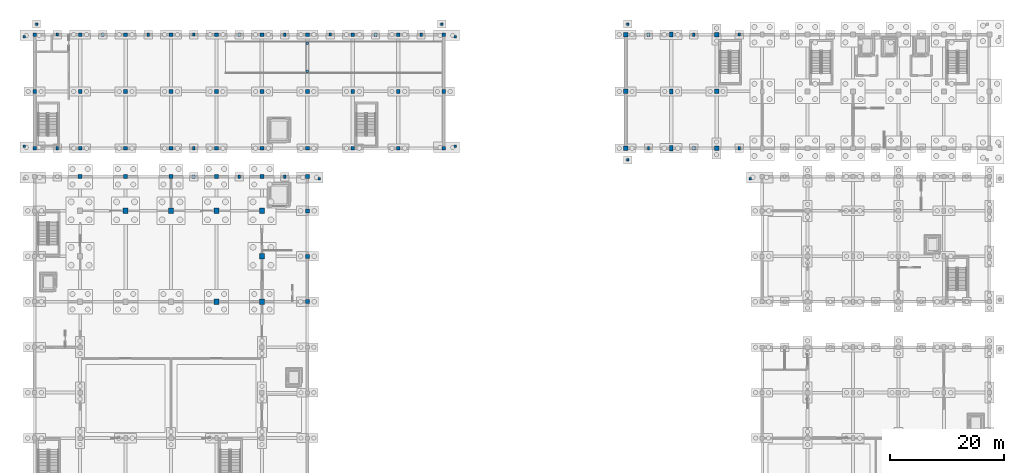
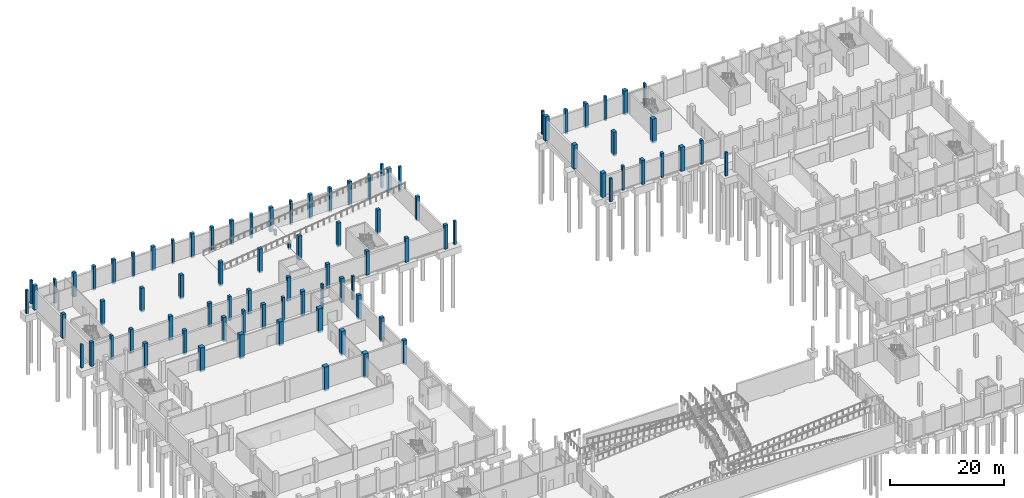
# One storey, part 16 of 52: 87 columns.
"""IFC4 building model written with IfcOpenShell, lengths in metres."""

from ifc_helpers import new_model, si_unit, direction, frame, origin, origin_2d, place, context, subcontext, project, spatial, rectangle, extrude, material, material_profile, profile_set, type_object, element, save


model = new_model("IFC4")

# Units and contexts
model_context = context("Model", 3, precision=1e-05, world=origin(), true_north=direction((0.0, 1.0)))
body_context = subcontext(model_context, "Body", "Model", "MODEL_VIEW")
ifc_project = project(units=[si_unit("LENGTHUNIT", "METRE"), si_unit("AREAUNIT", "SQUARE_METRE"), si_unit("VOLUMEUNIT", "CUBIC_METRE"), si_unit("PLANEANGLEUNIT", "RADIAN"), si_unit("MASSUNIT", "GRAM", prefix="KILO")], contexts=[model_context])

# Site, building, storey
site_placement = place(None, origin())
site = spatial("IfcSite", under=ifc_project, at=site_placement, CompositionType="ELEMENT")
building_placement = place(site_placement, origin())
building = spatial("IfcBuilding", under=site, at=building_placement, Name="Luwemba Playhouse", CompositionType="ELEMENT")
storey_placement = place(building_placement, frame((0.0, 0.0, -4.800048828125)))
storey = spatial("IfcBuildingStorey", under=building, at=storey_placement, Name="B1", CompositionType="ELEMENT", Elevation=-4.800048828125)

# Columns
ifc_material = material(Name="Concrete C40/50", Category="concrete")
ifc_material_profile_1 = material_profile(ifc_material, rectangle(XDim=0.449951171875, YDim=0.449951171875, at=origin_2d()))
ifc_profile_set_1 = profile_set([ifc_material_profile_1], Name="Concrete C40/50")
column_type_1 = type_object("IfcColumnType", Name="COL-C01", PredefinedType="COLUMN", material=ifc_profile_set_1)
for number, where, z_axis, x_axis, name in (
    (1, (2.14990234375, 95.35009765625, -0.3798828125), (0.0, 0.0, 1.0), (1.0, 0.0, 0.0), "Plaza threshold support pier 05-1"),
    (2, (2.14990234375, 114.64990234375, -0.3798828125), (0.0, 0.0, 1.0), (1.0, 0.0, 0.0), "Plaza threshold support pier 05-4"),
    (3, (75.64990234375, 116.85009765625, -0.3798828125), (0.0, 0.0, 1.0), (1.0, 0.0, 0.0), "Plaza threshold support pier 10-3"),
    (4, (4.35009765625, 116.85009765625, -0.3798828125), (0.0, 0.0, 1.0), (1.0, 0.0, 0.0), "Plaza threshold support pier 10-4"),
    (5, (108.35009765625, 116.85009765625, -0.3798828125), (0.0, 0.0, 1.0), (1.0, 0.0, 0.0), "Plaza threshold support pier 11-4"),
    (6, (54.050048828125, 89.64990234375, -0.3798828125), (0.0, 0.0, 1.0), (1.0, 0.0, 0.0), "Plaza threshold support pier 14-3"),
    (7, (129.949951171875, 89.64990234375, -0.3798828125), (0.0, 0.0, 1.0), (1.0, 0.0, 0.0), "Plaza threshold support pier 15-4"),
    (8, (108.35009765625, 92.949951171875, -0.3798828125), (0.0, 0.0, 1.0), (1.0, 0.0, 0.0), "Plaza threshold support pier 17-1"),
    (9, (78.050048828125, 95.35009765625, -0.3798828125), (0.0, 0.0, 1.0), (1.0, 0.0, 0.0), "Plaza threshold support pier 19-2"),
    (10, (78.050048828125, 114.64990234375, -0.3798828125), (0.0, 0.0, 1.0), (1.0, 0.0, 0.0), "Plaza threshold support pier 19-3"),
):
    element("IfcColumn", number, at=place(storey_placement, frame(where, z_axis=z_axis, x_axis=x_axis)), inside=storey, type_object=column_type_1, Name=name, PredefinedType="COLUMN", context=body_context, shape_type="SweptSolid", body=[
        extrude(rectangle(XDim=0.449951171875, YDim=0.449951171875, at=origin_2d()), origin(), (0.0, 0.0, 1.0), 5.02001953125),
    ])
for number, where, z_axis, x_axis, name in (
    (11, (52.0, 108.550048828125, -0.3798828125), (0.0, 0.0, 1.0), (1.0, 0.0, 0.0), "B1 vehicle ramp Grid G support column 1"),
    (12, (52.0, 113.449951171875, -0.3798828125), (0.0, 0.0, 1.0), (1.0, 0.0, 0.0), "B1 vehicle ramp Grid G support column 2"),
):
    element("IfcColumn", number, at=place(storey_placement, frame(where, z_axis=z_axis, x_axis=x_axis)), inside=storey, type_object=column_type_1, Name=name, PredefinedType="COLUMN", context=body_context, shape_type="SweptSolid", body=[
        extrude(rectangle(XDim=0.449951171875, YDim=0.449951171875, at=origin_2d()), origin(), (0.0, 0.0, 1.0), 1.27490234375),
    ])
ifc_material_profile_2 = material_profile(ifc_material, rectangle(XDim=0.64990234375, YDim=0.64990234375, at=origin_2d()))
ifc_profile_set_2 = profile_set([ifc_material_profile_2], Name="Concrete C40/50")
column_type_2 = type_object("IfcColumnType", Name="COL-C05", PredefinedType="COLUMN", material=ifc_profile_set_2)
for number, where, z_axis, x_axis, name in (
    (13, (4.0, 95.0, -0.3798828125), (0.0, 0.0, 1.0), (1.0, 0.0, 0.0), "B1 column 013"),
    (14, (4.0, 105.0, -0.3798828125), (0.0, 0.0, 1.0), (1.0, 0.0, 0.0), "B1 column 014"),
    (15, (4.0, 115.0, -0.3798828125), (0.0, 0.0, 1.0), (1.0, 0.0, 0.0), "B1 column 015"),
    (16, (12.0, 95.0, -0.3798828125), (0.0, 0.0, 1.0), (1.0, 0.0, 0.0), "B1 column 034"),
    (17, (12.0, 105.0, -0.3798828125), (0.0, 0.0, 1.0), (1.0, 0.0, 0.0), "B1 column 035"),
    (18, (12.0, 115.0, -0.3798828125), (0.0, 0.0, 1.0), (1.0, 0.0, 0.0), "B1 column 036"),
    (19, (20.0, 95.0, -0.3798828125), (0.0, 0.0, 1.0), (1.0, 0.0, 0.0), "B1 column 050"),
    (20, (20.0, 105.0, -0.3798828125), (0.0, 0.0, 1.0), (1.0, 0.0, 0.0), "B1 column 051"),
    (21, (20.0, 115.0, -0.3798828125), (0.0, 0.0, 1.0), (1.0, 0.0, 0.0), "B1 column 052"),
    (22, (28.0, 95.0, -0.3798828125), (0.0, 0.0, 1.0), (1.0, 0.0, 0.0), "B1 column 066"),
    (23, (28.0, 105.0, -0.3798828125), (0.0, 0.0, 1.0), (1.0, 0.0, 0.0), "B1 column 067"),
    (24, (28.0, 115.0, -0.3798828125), (0.0, 0.0, 1.0), (1.0, 0.0, 0.0), "B1 column 068"),
    (25, (36.0, 95.0, -0.3798828125), (0.0, 0.0, 1.0), (1.0, 0.0, 0.0), "B1 column 084"),
    (26, (36.0, 105.0, -0.3798828125), (0.0, 0.0, 1.0), (1.0, 0.0, 0.0), "B1 column 085"),
    (27, (36.0, 115.0, -0.3798828125), (0.0, 0.0, 1.0), (1.0, 0.0, 0.0), "B1 column 086"),
    (28, (44.0, 95.0, -0.3798828125), (0.0, 0.0, 1.0), (1.0, 0.0, 0.0), "B1 column 104"),
    (29, (44.0, 105.0, -0.3798828125), (0.0, 0.0, 1.0), (1.0, 0.0, 0.0), "B1 column 105"),
    (30, (44.0, 115.0, -0.3798828125), (0.0, 0.0, 1.0), (1.0, 0.0, 0.0), "B1 column 106"),
    (31, (52.0, 95.0, -0.3798828125), (0.0, 0.0, 1.0), (1.0, 0.0, 0.0), "B1 column 124"),
    (32, (52.0, 105.0, -0.3798828125), (0.0, 0.0, 1.0), (1.0, 0.0, 0.0), "B1 column 125"),
    (33, (52.0, 115.0, -0.3798828125), (0.0, 0.0, 1.0), (1.0, 0.0, 0.0), "B1 column 126"),
    (34, (60.0, 95.0, -0.3798828125), (0.0, 0.0, 1.0), (1.0, 0.0, 0.0), "B1 column 134"),
    (35, (60.0, 105.0, -0.3798828125), (0.0, 0.0, 1.0), (1.0, 0.0, 0.0), "B1 column 135"),
    (36, (60.0, 115.0, -0.3798828125), (0.0, 0.0, 1.0), (1.0, 0.0, 0.0), "B1 column 136"),
    (37, (68.0, 95.0, -0.3798828125), (0.0, 0.0, 1.0), (1.0, 0.0, 0.0), "B1 column 138"),
    (38, (68.0, 105.0, -0.3798828125), (0.0, 0.0, 1.0), (1.0, 0.0, 0.0), "B1 column 139"),
    (39, (68.0, 115.0, -0.3798828125), (0.0, 0.0, 1.0), (1.0, 0.0, 0.0), "B1 column 140"),
    (40, (76.0, 95.0, -0.3798828125), (0.0, 0.0, 1.0), (1.0, 0.0, 0.0), "B1 column 142"),
    (41, (76.0, 105.0, -0.3798828125), (0.0, 0.0, 1.0), (1.0, 0.0, 0.0), "B1 column 143"),
    (42, (76.0, 115.0, -0.3798828125), (0.0, 0.0, 1.0), (1.0, 0.0, 0.0), "B1 column 144"),
):
    element("IfcColumn", number, at=place(storey_placement, frame(where, z_axis=z_axis, x_axis=x_axis)), inside=storey, type_object=column_type_2, Name=name, PredefinedType="COLUMN", context=body_context, shape_type="SweptSolid", body=[
        extrude(rectangle(XDim=0.64990234375, YDim=0.64990234375, at=origin_2d()), origin(), (0.0, 0.0, 1.0), 5.179931640625),
    ])
ifc_material_profile_3 = material_profile(ifc_material, rectangle(XDim=0.699951171875, YDim=0.699951171875, at=origin_2d()))
ifc_profile_set_3 = profile_set([ifc_material_profile_3], Name="Concrete C40/50")
column_type_3 = type_object("IfcColumnType", Name="COL-C06", PredefinedType="COLUMN", material=ifc_profile_set_3)
for number, where, z_axis, x_axis, name in (
    (43, (12.0, 90.0, -0.3798828125), (0.0, 0.0, 1.0), (1.0, 0.0, 0.0), "B1 column 033"),
    (44, (20.0, 90.0, -0.3798828125), (0.0, 0.0, 1.0), (1.0, 0.0, 0.0), "B1 column 049"),
    (45, (28.0, 90.0, -0.3798828125), (0.0, 0.0, 1.0), (1.0, 0.0, 0.0), "B1 column 065"),
    (46, (36.0, 90.0, -0.3798828125), (0.0, 0.0, 1.0), (1.0, 0.0, 0.0), "B1 column 083"),
    (47, (44.0, 90.0, -0.3798828125), (0.0, 0.0, 1.0), (1.0, 0.0, 0.0), "B1 column 103"),
    (48, (52.0, 68.0, -0.3798828125), (0.0, 0.0, 1.0), (1.0, 0.0, 0.0), "B1 column 120"),
    (49, (52.0, 76.0, -0.3798828125), (0.0, 0.0, 1.0), (1.0, 0.0, 0.0), "B1 column 121"),
    (50, (52.0, 84.0, -0.3798828125), (0.0, 0.0, 1.0), (1.0, 0.0, 0.0), "B1 column 122"),
    (51, (52.0, 90.0, -0.3798828125), (0.0, 0.0, 1.0), (1.0, 0.0, 0.0), "B1 column 123"),
):
    element("IfcColumn", number, at=place(storey_placement, frame(where, z_axis=z_axis, x_axis=x_axis)), inside=storey, type_object=column_type_3, Name=name, PredefinedType="COLUMN", context=body_context, shape_type="SweptSolid", body=[
        extrude(rectangle(XDim=0.699951171875, YDim=0.699951171875, at=origin_2d()), origin(), (0.0, 0.0, 1.0), 5.179931640625),
    ])
ifc_material_profile_4 = material_profile(ifc_material, rectangle(XDim=0.800048828125, YDim=0.800048828125, at=origin_2d()))
ifc_profile_set_4 = profile_set([ifc_material_profile_4], Name="Concrete C40/50")
column_type_4 = type_object("IfcColumnType", Name="COL-C08", PredefinedType="COLUMN", material=ifc_profile_set_4)
for number, where, z_axis, x_axis, name in (
    (52, (108.0, 95.0, -0.3798828125), (0.0, 0.0, 1.0), (1.0, 0.0, 0.0), "B1 column 145"),
    (53, (108.0, 105.0, -0.3798828125), (0.0, 0.0, 1.0), (1.0, 0.0, 0.0), "B1 column 146"),
    (54, (108.0, 115.0, -0.3798828125), (0.0, 0.0, 1.0), (1.0, 0.0, 0.0), "B1 column 147"),
    (55, (124.0, 95.0, -0.3798828125), (0.0, 0.0, 1.0), (1.0, 0.0, 0.0), "B1 column 165"),
    (56, (124.0, 105.0, -0.3798828125), (0.0, 0.0, 1.0), (1.0, 0.0, 0.0), "B1 column 166"),
    (57, (124.0, 115.0, -0.3798828125), (0.0, 0.0, 1.0), (1.0, 0.0, 0.0), "B1 column 167"),
):
    element("IfcColumn", number, at=place(storey_placement, frame(where, z_axis=z_axis, x_axis=x_axis)), inside=storey, type_object=column_type_4, Name=name, PredefinedType="COLUMN", context=body_context, shape_type="SweptSolid", body=[
        extrude(rectangle(XDim=0.800048828125, YDim=0.800048828125, at=origin_2d()), origin(), (0.0, 0.0, 1.0), 5.179931640625),
    ])
ifc_material_profile_5 = material_profile(ifc_material, rectangle(XDim=0.89990234375, YDim=0.89990234375, at=origin_2d()))
ifc_profile_set_5 = profile_set([ifc_material_profile_5], Name="Concrete C40/50")
column_type_5 = type_object("IfcColumnType", Name="COL-C10", PredefinedType="COLUMN", material=ifc_profile_set_5)
for number, where, z_axis, x_axis, name in (
    (58, (20.0, 84.0, -0.3798828125), (0.0, 0.0, 1.0), (1.0, 0.0, 0.0), "B1 column 048"),
    (59, (28.0, 84.0, -0.3798828125), (0.0, 0.0, 1.0), (1.0, 0.0, 0.0), "B1 column 064"),
    (60, (36.0, 68.0, -0.3798828125), (0.0, 0.0, 1.0), (1.0, 0.0, 0.0), "B1 column 081"),
    (61, (36.0, 84.0, -0.3798828125), (0.0, 0.0, 1.0), (1.0, 0.0, 0.0), "B1 column 082"),
    (62, (44.0, 68.0, -0.3798828125), (0.0, 0.0, 1.0), (1.0, 0.0, 0.0), "B1 column 100"),
    (63, (44.0, 76.0, -0.3798828125), (0.0, 0.0, 1.0), (1.0, 0.0, 0.0), "B1 column 101"),
    (64, (44.0, 84.0, -0.3798828125), (0.0, 0.0, 1.0), (1.0, 0.0, 0.0), "B1 column 102"),
):
    element("IfcColumn", number, at=place(storey_placement, frame(where, z_axis=z_axis, x_axis=x_axis)), inside=storey, type_object=column_type_5, Name=name, PredefinedType="COLUMN", context=body_context, shape_type="SweptSolid", body=[
        extrude(rectangle(XDim=0.89990234375, YDim=0.89990234375, at=origin_2d()), origin(), (0.0, 0.0, 1.0), 5.179931640625),
    ])
ifc_material_profile_6 = material_profile(ifc_material, rectangle(XDim=0.60009765625, YDim=0.89990234375, at=origin_2d()))
ifc_profile_set_6 = profile_set([ifc_material_profile_6], Name="Concrete C40/50")
column_type_6 = type_object("IfcColumnType", Name="COL-C13", PredefinedType="COLUMN", material=ifc_profile_set_6)
for number, where, z_axis, x_axis, name in (
    (65, (116.0, 95.0, -0.3798828125), (0.0, 0.0, 1.0), (1.0, 0.0, 0.0), "B1 column 154"),
    (66, (116.0, 105.0, -0.3798828125), (0.0, 0.0, 1.0), (1.0, 0.0, 0.0), "B1 column 155"),
    (67, (116.0, 115.0, -0.3798828125), (0.0, 0.0, 1.0), (1.0, 0.0, 0.0), "B1 column 156"),
):
    element("IfcColumn", number, at=place(storey_placement, frame(where, z_axis=z_axis, x_axis=x_axis)), inside=storey, type_object=column_type_6, Name=name, PredefinedType="COLUMN", context=body_context, shape_type="SweptSolid", body=[
        extrude(rectangle(XDim=0.60009765625, YDim=0.89990234375, at=origin_2d()), origin(), (0.0, 0.0, 1.0), 5.179931640625),
    ])
ifc_material_profile_7 = material_profile(ifc_material, rectangle(XDim=0.39990234375, YDim=0.550048828125, at=origin_2d()))
ifc_profile_set_7 = profile_set([ifc_material_profile_7], Name="Concrete C40/50")
column_type_7 = type_object("IfcColumnType", Name="COL-PIL1", PredefinedType="PILASTER", material=ifc_profile_set_7)
for number, where, z_axis, x_axis, name in (
    (68, (8.0, 115.0, -0.3798828125), (0.0, 0.0, 1.0), (1.0, 0.0, 0.0), "B1 column 021"),
    (69, (32.0, 115.0, -0.3798828125), (0.0, 0.0, 1.0), (1.0, 0.0, 0.0), "B1 column 074"),
    (70, (48.0, 90.0, -0.3798828125), (0.0, 0.0, 1.0), (1.0, 0.0, 0.0), "B1 column 110"),
    (71, (56.0, 115.0, -0.3798828125), (0.0, 0.0, 1.0), (1.0, 0.0, 0.0), "B1 column 129"),
    (72, (112.0, 95.0, -0.3798828125), (0.0, 0.0, 1.0), (1.0, 0.0, 0.0), "B1 column 148"),
    (73, (128.0, 115.0, -0.3798828125), (0.0, 0.0, 1.0), (1.0, 0.0, 0.0), "B1 column 171"),
):
    element("IfcColumn", number, at=place(storey_placement, frame(where, z_axis=z_axis, x_axis=x_axis)), inside=storey, type_object=column_type_7, Name=name, PredefinedType="PILASTER", context=body_context, shape_type="SweptSolid", body=[
        extrude(rectangle(XDim=0.39990234375, YDim=0.550048828125, at=origin_2d()), origin(), (0.0, 0.0, 1.0), 5.179931640625),
    ])
ifc_material_profile_8 = material_profile(ifc_material, rectangle(XDim=0.449951171875, YDim=0.60009765625, at=origin_2d()))
ifc_profile_set_8 = profile_set([ifc_material_profile_8], Name="Concrete C40/50")
column_type_8 = type_object("IfcColumnType", Name="COL-PIL2", PredefinedType="PILASTER", material=ifc_profile_set_8)
for number, where, z_axis, x_axis, name in (
    (74, (8.0, 95.0, -0.3798828125), (0.0, 0.0, 1.0), (1.0, 0.0, 0.0), "B1 column 020"),
    (75, (24.0, 115.0, -0.3798828125), (0.0, 0.0, 1.0), (1.0, 0.0, 0.0), "B1 column 056"),
    (76, (32.0, 95.0, -0.3798828125), (0.0, 0.0, 1.0), (1.0, 0.0, 0.0), "B1 column 073"),
    (77, (40.0, 90.0, -0.3798828125), (0.0, 0.0, 1.0), (1.0, 0.0, 0.0), "B1 column 090"),
    (78, (48.0, 115.0, -0.3798828125), (0.0, 0.0, 1.0), (1.0, 0.0, 0.0), "B1 column 111"),
    (79, (72.0, 115.0, -0.3798828125), (0.0, 0.0, 1.0), (1.0, 0.0, 0.0), "B1 column 141"),
    (80, (120.0, 115.0, -0.3798828125), (0.0, 0.0, 1.0), (1.0, 0.0, 0.0), "B1 column 160"),
    (81, (128.0, 95.0, -0.3798828125), (0.0, 0.0, 1.0), (1.0, 0.0, 0.0), "B1 column 170"),
):
    element("IfcColumn", number, at=place(storey_placement, frame(where, z_axis=z_axis, x_axis=x_axis)), inside=storey, type_object=column_type_8, Name=name, PredefinedType="PILASTER", context=body_context, shape_type="SweptSolid", body=[
        extrude(rectangle(XDim=0.449951171875, YDim=0.60009765625, at=origin_2d()), origin(), (0.0, 0.0, 1.0), 5.179931640625),
    ])
ifc_material_profile_9 = material_profile(ifc_material, rectangle(XDim=0.5, YDim=0.64990234375, at=origin_2d()))
ifc_profile_set_9 = profile_set([ifc_material_profile_9], Name="Concrete C40/50")
column_type_9 = type_object("IfcColumnType", Name="COL-PIL3", PredefinedType="PILASTER", material=ifc_profile_set_9)
for number, where, z_axis, x_axis, name in (
    (82, (16.0, 115.0, -0.3798828125), (0.0, 0.0, 1.0), (1.0, 0.0, 0.0), "B1 column 040"),
    (83, (32.0, 90.0, -0.3798828125), (0.0, 0.0, 1.0), (1.0, 0.0, 0.0), "B1 column 072"),
    (84, (40.0, 115.0, -0.3798828125), (0.0, 0.0, 1.0), (1.0, 0.0, 0.0), "B1 column 091"),
    (85, (64.0, 115.0, -0.3798828125), (0.0, 0.0, 1.0), (1.0, 0.0, 0.0), "B1 column 137"),
    (86, (112.0, 115.0, -0.3798828125), (0.0, 0.0, 1.0), (1.0, 0.0, 0.0), "B1 column 149"),
    (87, (120.0, 95.0, -0.3798828125), (0.0, 0.0, 1.0), (1.0, 0.0, 0.0), "B1 column 159"),
):
    element("IfcColumn", number, at=place(storey_placement, frame(where, z_axis=z_axis, x_axis=x_axis)), inside=storey, type_object=column_type_9, Name=name, PredefinedType="PILASTER", context=body_context, shape_type="SweptSolid", body=[
        extrude(rectangle(XDim=0.5, YDim=0.64990234375, at=origin_2d()), origin(), (0.0, 0.0, 1.0), 5.179931640625),
    ])

save(model, "model.ifc")
